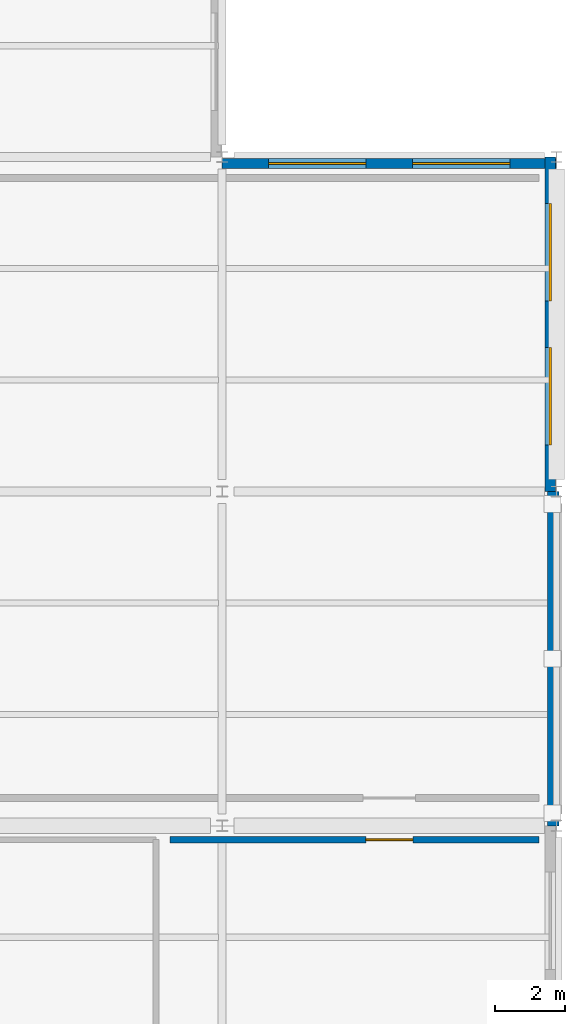
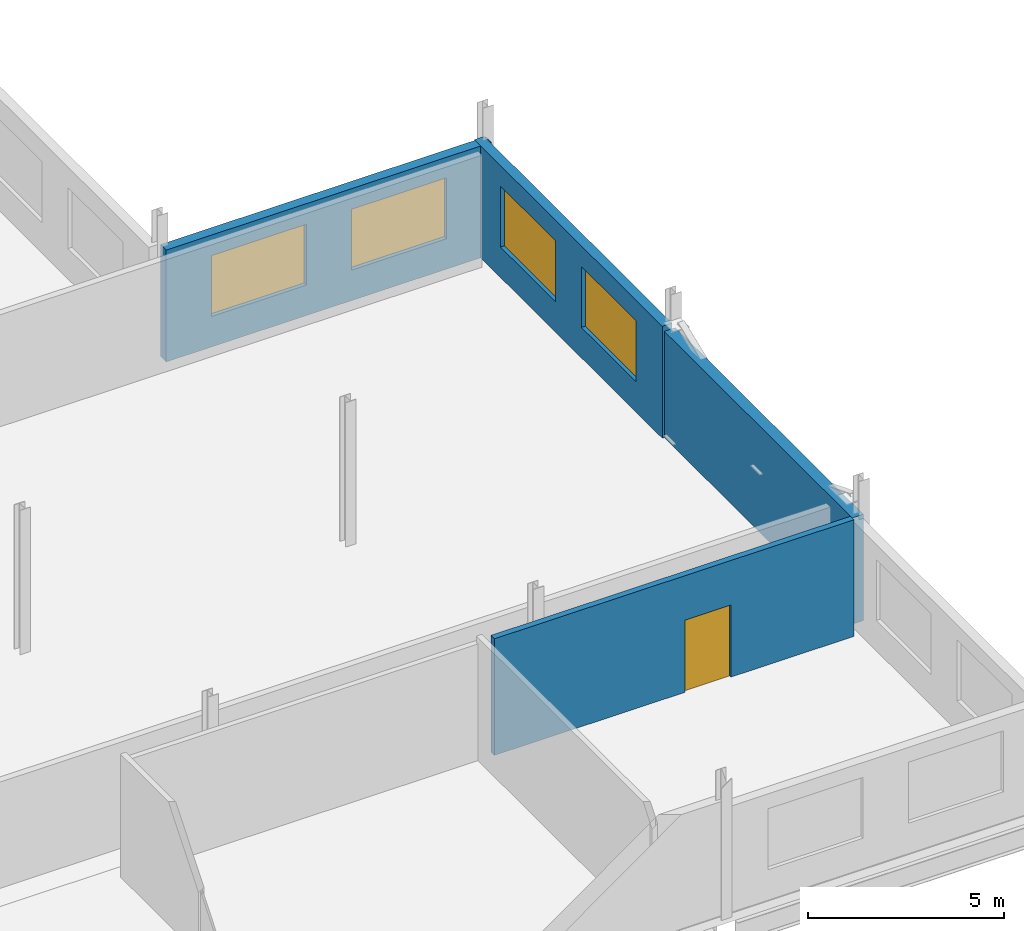
# One storey, part 47 of 69: 4 walls, 4 windows, 1 door, 5 openings.
"""IFC4 building model written with IfcOpenShell, lengths in metres."""

from ifc_helpers import new_model, si_unit, direction, frame, frame_2d, origin, place, context, subcontext, project, spatial, rectangle, extrude, material, layer, layer_set, type_object, element, fill, save


model = new_model("IFC4")

# Units and contexts
model_context = context("Model", 3, precision=1e-05, world=origin(), true_north=direction((0.0, 1.0)))
body_context = subcontext(model_context, "Body", "Model", "MODEL_VIEW")
ifc_project = project(units=[si_unit("LENGTHUNIT", "METRE"), si_unit("AREAUNIT", "SQUARE_METRE"), si_unit("VOLUMEUNIT", "CUBIC_METRE"), si_unit("PLANEANGLEUNIT", "RADIAN"), si_unit("MASSUNIT", "GRAM", prefix="KILO")], contexts=[model_context])

# Site, building, storey
site_placement = place(None, origin())
site = spatial("IfcSite", under=ifc_project, at=site_placement, CompositionType="ELEMENT")
building_placement = place(site_placement, origin())
building = spatial("IfcBuilding", under=site, at=building_placement, Name="Caelomonte Colonnade Arena", CompositionType="ELEMENT")
storey_placement = place(building_placement, frame((0.0, 0.0, 18.60009765625)))
storey = spatial("IfcBuildingStorey", under=building, at=storey_placement, Name="L04", CompositionType="ELEMENT", Elevation=18.60009765625)

# Wall, openings, windows
ifc_material_1 = material(Name="Precast concrete C40/50", Category="concrete")
ifc_layer_1 = layer(ifc_material_1, 0.2900390625)
ifc_layer_set_1 = layer_set([ifc_layer_1], Name="Precast concrete C40/50")
wall_type_1 = type_object("IfcWallType", Name="ENV-WL-EXT29", PredefinedType="SOLIDWALL", material=ifc_layer_set_1)
wall_1_placement = place(storey_placement, frame((191.820068359375, 124.800048828125, 0.0), z_axis=(0.0, 0.0, 1.0), x_axis=(0.0, 1.0, 0.0)))
wall_1 = element("IfcWall", 1, at=wall_1_placement, inside=storey, type_object=wall_type_1, Name="L04 exterior wall EW-L04-0319", PredefinedType="SOLIDWALL", context=body_context, shape_type="SweptSolid", body=[
    extrude(rectangle(XDim=9.599853515625, YDim=0.2900390625, at=frame_2d((4.7998046875, 0.0))), origin(), (0.0, 0.0, 1.0), 3.489990234375),
])
opening_1_placement = place(wall_1_placement, frame((4.13330078125, 0.0, 0.949951171875), z_axis=(0.0, 0.0, 1.0), x_axis=(-1.0, 0.0, 0.0)))
opening_1 = element("IfcOpeningElement", 2, at=opening_1_placement, cuts=wall_1, Name="Opening WN-07", PredefinedType="OPENING", context=body_context, shape_type="SweptSolid", body=[
    extrude(rectangle(XDim=2.800048828125, YDim=1.89990234375, at=frame_2d((1.39990234375, 0.949951171875))), frame((0.0, 0.155029296875, 0.0), z_axis=(0.0, -1.0, 0.0), x_axis=(1.0, 0.0, 0.0)), (0.0, 0.0, 1.0), 0.31005859375),
])
opening_2_placement = place(wall_1_placement, frame((8.266845703125, 0.0, 0.949951171875), z_axis=(0.0, 0.0, 1.0), x_axis=(-1.0, 0.0, 0.0)))
opening_2 = element("IfcOpeningElement", 3, at=opening_2_placement, cuts=wall_1, Name="Opening WN-07", PredefinedType="OPENING", context=body_context, shape_type="SweptSolid", body=[
    extrude(rectangle(XDim=2.800048828125, YDim=1.89990234375, at=frame_2d((1.39990234375, 0.949951171875))), frame((0.0, 0.155029296875, 0.0), z_axis=(0.0, -1.0, 0.0), x_axis=(1.0, 0.0, 0.0)), (0.0, 0.0, 1.0), 0.31005859375),
])
ifc_material_2 = material(Name="Solar-control bronze low-E double glazing", Category="glass")
window_type = type_object("IfcWindowType", Name="ENV-WN-V4D", PartitioningType="DOUBLE_PANEL_VERTICAL", PredefinedType="WINDOW", material=ifc_material_2)
window_1_placement = place(opening_1_placement, origin())
window_1 = element("IfcWindow", 4, at=window_1_placement, inside=storey, type_object=window_type, Name="L04 facade window 269", OverallHeight=1.89990234375, OverallWidth=2.800048828125, PartitioningType="SINGLE_PANEL", PredefinedType="WINDOW", context=body_context, shape_type="SweptSolid", body=[
    extrude(rectangle(XDim=2.800048828125, YDim=1.89990234375, at=frame_2d((1.39990234375, 0.949951171875))), frame((0.0, 0.030029296875, 0.0), z_axis=(0.0, -1.0, 0.0), x_axis=(1.0, 0.0, 0.0)), (0.0, 0.0, 1.0), 0.06005859375),
])
fill(opening_1, window_1)
window_2_placement = place(opening_2_placement, origin())
window_2 = element("IfcWindow", 5, at=window_2_placement, inside=storey, type_object=window_type, Name="L04 facade window 270", OverallHeight=1.89990234375, OverallWidth=2.800048828125, PartitioningType="SINGLE_PANEL", PredefinedType="WINDOW", context=body_context, shape_type="SweptSolid", body=[
    extrude(rectangle(XDim=2.800048828125, YDim=1.89990234375, at=frame_2d((1.39990234375, 0.949951171875))), frame((0.0, 0.030029296875, 0.0), z_axis=(0.0, -1.0, 0.0), x_axis=(1.0, 0.0, 0.0)), (0.0, 0.0, 1.0), 0.06005859375),
])
fill(opening_2, window_2)

wall_2_placement = place(storey_placement, frame((192.0, 134.219970703125, 0.0), z_axis=(0.0, 0.0, 1.0), x_axis=(-1.0, 0.0, 0.0)))
wall_2 = element("IfcWall", 6, at=wall_2_placement, inside=storey, type_object=wall_type_1, Name="L04 exterior wall EW-L04-0320", PredefinedType="SOLIDWALL", context=body_context, shape_type="SweptSolid", body=[
    extrude(rectangle(XDim=9.60009765625, YDim=0.2900390625, at=frame_2d((4.800048828125, 0.0))), origin(), (0.0, 0.0, 1.0), 3.489990234375),
])
opening_3_placement = place(wall_2_placement, frame((4.13330078125, 0.0, 0.949951171875), z_axis=(0.0, 0.0, 1.0), x_axis=(-1.0, 0.0, 0.0)))
opening_3 = element("IfcOpeningElement", 7, at=opening_3_placement, cuts=wall_2, Name="Opening WN-07", PredefinedType="OPENING", context=body_context, shape_type="SweptSolid", body=[
    extrude(rectangle(XDim=2.800048828125, YDim=1.89990234375, at=frame_2d((1.39990234375, 0.949951171875))), frame((0.0, 0.155029296875, 0.0), z_axis=(0.0, -1.0, 0.0), x_axis=(1.0, 0.0, 0.0)), (0.0, 0.0, 1.0), 0.31005859375),
])
opening_4_placement = place(wall_2_placement, frame((8.266845703125, 0.0, 0.949951171875), z_axis=(0.0, 0.0, 1.0), x_axis=(-1.0, 0.0, 0.0)))
opening_4 = element("IfcOpeningElement", 8, at=opening_4_placement, cuts=wall_2, Name="Opening WN-07", PredefinedType="OPENING", context=body_context, shape_type="SweptSolid", body=[
    extrude(rectangle(XDim=2.800048828125, YDim=1.89990234375, at=frame_2d((1.39990234375, 0.949951171875))), frame((0.0, 0.155029296875, 0.0), z_axis=(0.0, -1.0, 0.0), x_axis=(1.0, 0.0, 0.0)), (0.0, 0.0, 1.0), 0.31005859375),
])
window_3_placement = place(opening_3_placement, origin())
window_3 = element("IfcWindow", 9, at=window_3_placement, inside=storey, type_object=window_type, Name="L04 facade window 271", OverallHeight=1.89990234375, OverallWidth=2.800048828125, PartitioningType="SINGLE_PANEL", PredefinedType="WINDOW", context=body_context, shape_type="SweptSolid", body=[
    extrude(rectangle(XDim=2.800048828125, YDim=1.89990234375, at=frame_2d((1.39990234375, 0.949951171875))), frame((0.0, 0.030029296875, 0.0), z_axis=(0.0, -1.0, 0.0), x_axis=(1.0, 0.0, 0.0)), (0.0, 0.0, 1.0), 0.06005859375),
])
fill(opening_3, window_3)
window_4_placement = place(opening_4_placement, origin())
window_4 = element("IfcWindow", 10, at=window_4_placement, inside=storey, type_object=window_type, Name="L04 facade window 272", OverallHeight=1.89990234375, OverallWidth=2.800048828125, PartitioningType="SINGLE_PANEL", PredefinedType="WINDOW", context=body_context, shape_type="SweptSolid", body=[
    extrude(rectangle(XDim=2.800048828125, YDim=1.89990234375, at=frame_2d((1.39990234375, 0.949951171875))), frame((0.0, 0.030029296875, 0.0), z_axis=(0.0, -1.0, 0.0), x_axis=(1.0, 0.0, 0.0)), (0.0, 0.0, 1.0), 0.06005859375),
])
fill(opening_4, window_4)

# Wall
ifc_layer_2 = layer(ifc_material_1, 0.330078125)
ifc_layer_set_2 = layer_set([ifc_layer_2], Name="Precast concrete C40/50")
wall_type_2 = type_object("IfcWallType", Name="ENV-WL-EXT33", PredefinedType="SOLIDWALL", material=ifc_layer_set_2)
wall_3_placement = place(storey_placement, frame((191.89990234375, 115.199951171875, 0.0), z_axis=(0.0, 0.0, 1.0), x_axis=(0.0, 1.0, 0.0)))
element("IfcWall", 11, at=wall_3_placement, inside=storey, type_object=wall_type_2, Name="L04 exterior wall EW-L04-0318", PredefinedType="SOLIDWALL", context=body_context, shape_type="SweptSolid", body=[
    extrude(rectangle(XDim=9.60009765625, YDim=0.330078125, at=frame_2d((4.800048828125, 0.0))), origin(), (0.0, 0.0, 1.0), 3.312744140625),
])

# Wall, opening, door
ifc_material_3 = material(Name="Acoustic gypsum stud partition")
ifc_layer_3 = layer(ifc_material_3, 0.179931640625)
ifc_layer_set_3 = layer_set([ifc_layer_3], Name="Acoustic gypsum stud partition")
wall_type_3 = type_object("IfcWallType", Name="INT-WL-PT18", PredefinedType="PARTITIONING", material=ifc_layer_set_3)
wall_4_placement = place(storey_placement, frame((180.89990234375, 114.800048828125, 0.0), z_axis=(0.0, 0.0, 1.0), x_axis=(1.0, 0.0, 0.0)))
wall_4 = element("IfcWall", 12, at=wall_4_placement, inside=storey, type_object=wall_type_3, Name="L04 Upper Bowl First Aid Room partition 251", PredefinedType="PARTITIONING", context=body_context, shape_type="SweptSolid", body=[
    extrude(rectangle(XDim=10.60009765625, YDim=0.179931640625, at=frame_2d((5.300048828125, 0.0))), origin(), (0.0, 0.0, 1.0), 3.637939453125),
])
opening_5_placement = place(wall_4_placement, frame((5.625, 0.0, 0.0), z_axis=(0.0, 0.0, 1.0), x_axis=(1.0, 0.0, 0.0)))
opening_5 = element("IfcOpeningElement", 13, at=opening_5_placement, cuts=wall_4, Name="Opening D-L04-069", PredefinedType="OPENING", context=body_context, shape_type="SweptSolid", body=[
    extrude(rectangle(XDim=1.35009765625, YDim=2.25, at=frame_2d((0.675048828125, 1.125))), frame((0.0, 0.099853515625, 0.0), z_axis=(0.0, -1.0, 0.0), x_axis=(1.0, 0.0, 0.0)), (0.0, 0.0, 1.0), 0.199951171875),
])
ifc_material_4 = material(Name="Wide athlete locker suite door")
door_type = type_object("IfcDoorType", Name="INT-DR-ATH", OperationType="NOTDEFINED", PredefinedType="DOOR", material=ifc_material_4)
door_placement = place(opening_5_placement, origin())
door = element("IfcDoor", 14, at=door_placement, inside=storey, type_object=door_type, Name="L04 Upper Bowl First Aid Room door D-L04-069", OperationType="SINGLE_SWING_LEFT", OverallHeight=2.25, OverallWidth=1.35009765625, PredefinedType="DOOR", context=body_context, shape_type="SweptSolid", body=[
    extrude(rectangle(XDim=1.35009765625, YDim=2.25, at=frame_2d((0.675048828125, 1.125))), frame((0.0, 0.02490234375, 0.0), z_axis=(0.0, -1.0, 0.0), x_axis=(1.0, 0.0, 0.0)), (0.0, 0.0, 1.0), 0.050048828125),
])
fill(opening_5, door)

save(model, "model.ifc")
